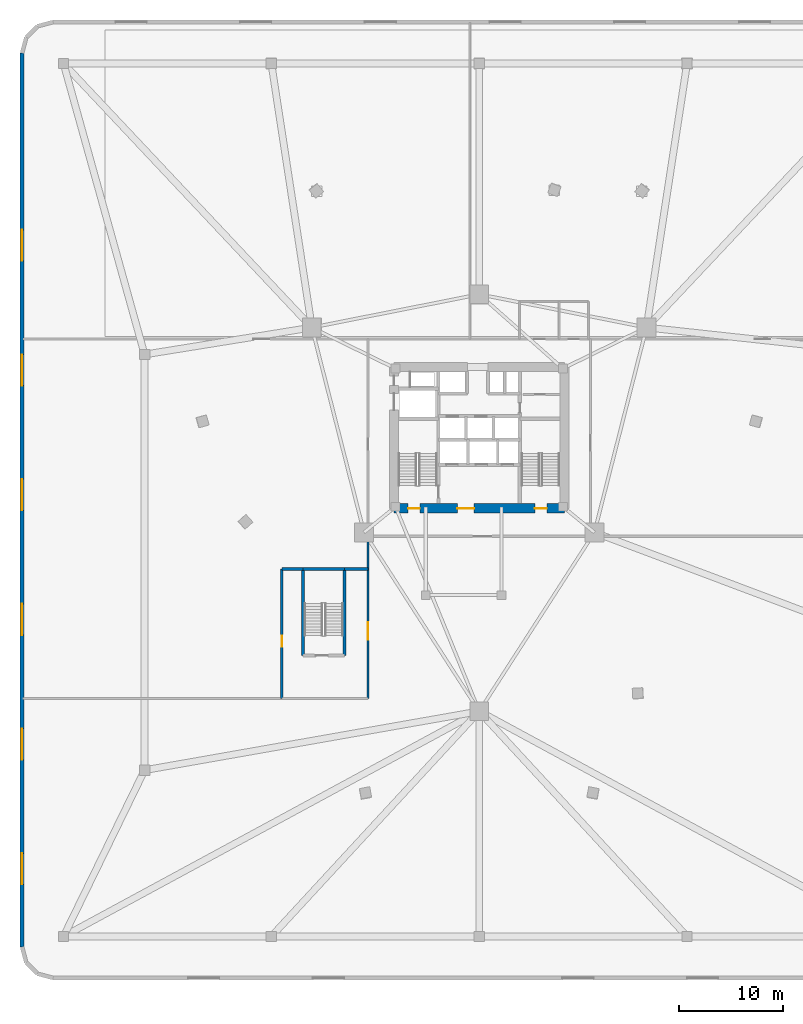
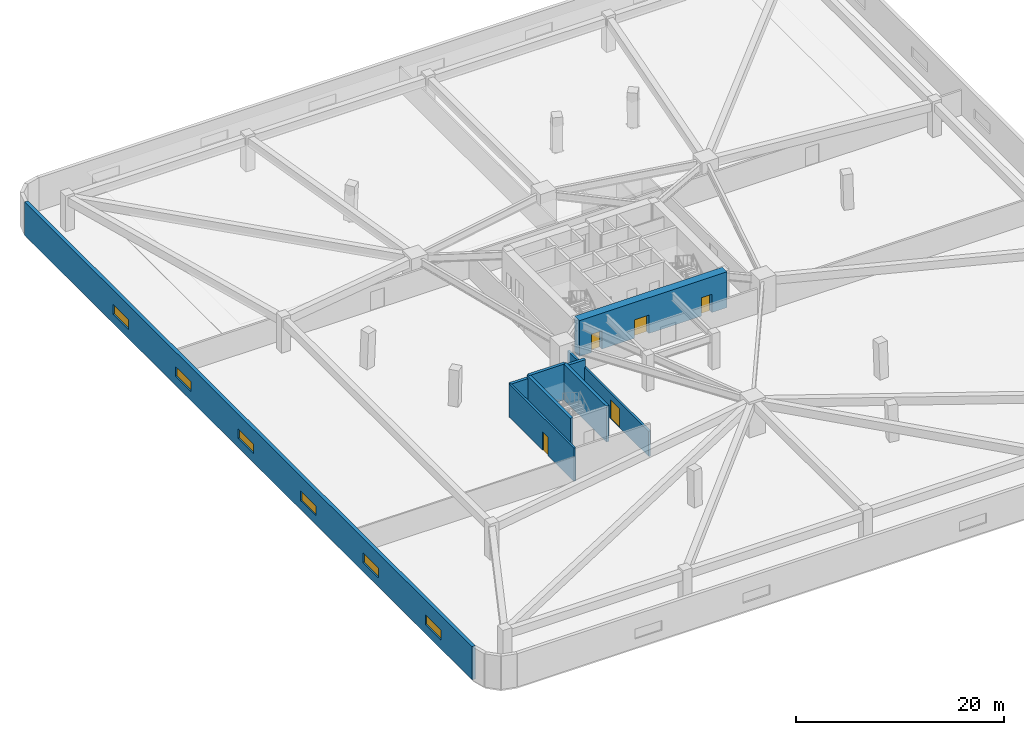
# One storey, part 4 of 10: 9 walls, 6 windows, 5 doors, 11 openings.
"""IFC4 building model written with IfcOpenShell, lengths in metres."""

from ifc_helpers import new_model, si_unit, direction, frame, frame_2d, origin, place, context, subcontext, project, spatial, rectangle, extrude, material, layer, layer_set, type_object, element, fill, save


model = new_model("IFC4")

# Units and contexts
model_context = context("Model", 3, precision=1e-05, world=origin(), true_north=direction((0.0, 1.0)))
body_context = subcontext(model_context, "Body", "Model", "MODEL_VIEW")
ifc_project = project(units=[si_unit("LENGTHUNIT", "METRE"), si_unit("AREAUNIT", "SQUARE_METRE"), si_unit("VOLUMEUNIT", "CUBIC_METRE"), si_unit("PLANEANGLEUNIT", "RADIAN"), si_unit("MASSUNIT", "GRAM", prefix="KILO")], contexts=[model_context])

# Site, building, storey
site_placement = place(None, origin())
site = spatial("IfcSite", under=ifc_project, at=site_placement, CompositionType="ELEMENT")
building_placement = place(site_placement, origin())
building = spatial("IfcBuilding", under=site, at=building_placement, Name="Talyreon Biosciences Tower", CompositionType="ELEMENT")
storey_placement = place(building_placement, frame((0.0, 0.0, 14.39990234375)))
storey = spatial("IfcBuildingStorey", under=building, at=storey_placement, Name="L03", CompositionType="ELEMENT", Elevation=14.39990234375)

# Walls
ifc_material_1 = material(Name="Concrete C50/60", Category="concrete")
ifc_layer_1 = layer(ifc_material_1, 0.320068359375)
ifc_layer_set_1 = layer_set([ifc_layer_1], Name="Concrete C50/60")
wall_type_1 = type_object("IfcWallType", Name="CoreShearWall_320", PredefinedType="SHEAR", material=ifc_layer_set_1)
for number, where, z_axis, x_axis, name in (
    (1, (49.0400390625, 47.0400390625, 0.0), (0.0, 0.0, 1.0), (0.0, 1.0, 0.0), "L03 Stair ST-3 Structural Wall W"),
    (2, (53.0400390625, 47.0400390625, 0.0), (0.0, 0.0, 1.0), (0.0, 1.0, 0.0), "L03 Stair ST-3 Structural Wall E"),
):
    element("IfcWall", number, at=place(storey_placement, frame(where, z_axis=z_axis, x_axis=x_axis)), inside=storey, type_object=wall_type_1, Name=name, PredefinedType="SHEAR", context=body_context, shape_type="SweptSolid", body=[
        extrude(rectangle(XDim=8.320068359375, YDim=0.320068359375, at=frame_2d((4.16015625, 0.0))), origin(), (0.0, 0.0, 1.0), 4.2001953125),
    ])
wall_1_placement = place(storey_placement, frame((49.0400390625, 55.360107421875, 0.0), z_axis=(0.0, 0.0, 1.0), x_axis=(1.0, 0.0, 0.0)))
element("IfcWall", 3, at=wall_1_placement, inside=storey, type_object=wall_type_1, Name="L03 Stair ST-3 Structural Wall N", PredefinedType="SHEAR", context=body_context, shape_type="SweptSolid", body=[
    extrude(rectangle(XDim=4.0, YDim=0.320068359375, at=frame_2d((2.0, 0.0))), origin(), (0.0, 0.0, 1.0), 4.2001953125),
])

# Wall, openings, doors
ifc_material_2 = material(Name="Concrete C60/75", Category="concrete")
ifc_layer_2 = layer(ifc_material_2, 0.89990234375)
ifc_layer_set_2 = layer_set([ifc_layer_2], Name="Concrete C60/75")
wall_type_2 = type_object("IfcWallType", Name="CoreShearWall_900", PredefinedType="SHEAR", material=ifc_layer_set_2)
wall_2_placement = place(storey_placement, frame((57.800048828125, 61.199951171875, 0.0), z_axis=(0.0, 0.0, 1.0), x_axis=(1.0, 0.0, 0.0)))
wall_2 = element("IfcWall", 4, at=wall_2_placement, inside=storey, type_object=wall_type_2, Name="L03 Core Shear Wall S", PredefinedType="SHEAR", context=body_context, shape_type="SweptSolid", body=[
    extrude(rectangle(XDim=16.39990234375, YDim=0.89990234375, at=frame_2d((8.199951171875, 0.0))), origin(), (0.0, 0.0, 1.0), 4.2001953125),
])
opening_1_placement = place(wall_2_placement, frame((1.35009765625, 0.0, 0.0)))
opening_1 = element("IfcOpeningElement", 5, at=opening_1_placement, cuts=wall_2, Name="Opening DR-L03-ST1", PredefinedType="OPENING", context=body_context, shape_type="SweptSolid", body=[
    extrude(rectangle(XDim=1.14990234375, YDim=2.14990234375, at=frame_2d((0.574951171875, 1.074951171875))), frame((0.0, 0.4599609375, 0.0), z_axis=(0.0, -1.0, 0.0), x_axis=(1.0, 0.0, 0.0)), (0.0, 0.0, 1.0), 0.919921875),
])
opening_2_placement = place(wall_2_placement, frame((6.10009765625, 0.0, 0.0)))
opening_2 = element("IfcOpeningElement", 6, at=opening_2_placement, cuts=wall_2, Name="Opening DR-L03-FFL", PredefinedType="OPENING", context=body_context, shape_type="SweptSolid", body=[
    extrude(rectangle(XDim=1.60009765625, YDim=2.14990234375, at=frame_2d((0.800048828125, 1.074951171875))), frame((0.0, 0.4599609375, 0.0), z_axis=(0.0, -1.0, 0.0), x_axis=(1.0, 0.0, 0.0)), (0.0, 0.0, 1.0), 0.919921875),
])
opening_3_placement = place(wall_2_placement, frame((13.550048828125, 0.0, 0.0)))
opening_3 = element("IfcOpeningElement", 7, at=opening_3_placement, cuts=wall_2, Name="Opening DR-L03-ST2", PredefinedType="OPENING", context=body_context, shape_type="SweptSolid", body=[
    extrude(rectangle(XDim=1.14990234375, YDim=2.14990234375, at=frame_2d((0.574951171875, 1.074951171875))), frame((0.0, 0.4599609375, 0.0), z_axis=(0.0, -1.0, 0.0), x_axis=(1.0, 0.0, 0.0)), (0.0, 0.0, 1.0), 0.919921875),
])
ifc_material_3 = material(Name="Painted steel smoke-seal fire door", Category="steel")
door_type_1 = type_object("IfcDoorType", Name="FirefightingLobbyDoubleDoor_1600x2150", OperationType="DOUBLE_DOOR_SINGLE_SWING", PredefinedType="DOOR", material=ifc_material_3)
door_1_placement = place(opening_2_placement, origin())
door_1 = element("IfcDoor", 8, at=door_1_placement, inside=storey, type_object=door_type_1, Name="L03 Core Door DR-L03-FFL", OperationType="DOUBLE_DOOR_SINGLE_SWING", OverallHeight=2.14990234375, OverallWidth=1.60009765625, PredefinedType="DOOR", context=body_context, shape_type="SweptSolid", body=[
    extrude(rectangle(XDim=1.60009765625, YDim=2.14990234375, at=frame_2d((0.800048828125, 1.074951171875))), frame((0.0, 0.02490234375, 0.0), z_axis=(0.0, -1.0, 0.0), x_axis=(1.0, 0.0, 0.0)), (0.0, 0.0, 1.0), 0.050048828125),
])
fill(opening_2, door_1)
ifc_material_4 = material(Name="Painted steel fire door", Category="steel")
door_type_2 = type_object("IfcDoorType", Name="StairShaftFireDoor_1150x2150", OperationType="NOTDEFINED", PredefinedType="DOOR", material=ifc_material_4)
door_2_placement = place(opening_1_placement, origin())
door_2 = element("IfcDoor", 9, at=door_2_placement, inside=storey, type_object=door_type_2, Name="L03 Core Door DR-L03-ST1", OperationType="SINGLE_SWING_LEFT", OverallHeight=2.14990234375, OverallWidth=1.14990234375, PredefinedType="DOOR", context=body_context, shape_type="SweptSolid", body=[
    extrude(rectangle(XDim=1.14990234375, YDim=2.14990234375, at=frame_2d((0.574951171875, 1.074951171875))), frame((0.0, 0.02490234375, 0.0), z_axis=(0.0, -1.0, 0.0), x_axis=(1.0, 0.0, 0.0)), (0.0, 0.0, 1.0), 0.050048828125),
])
fill(opening_1, door_2)
door_3_placement = place(opening_3_placement, origin())
door_3 = element("IfcDoor", 10, at=door_3_placement, inside=storey, type_object=door_type_2, Name="L03 Core Door DR-L03-ST2", OperationType="SINGLE_SWING_RIGHT", OverallHeight=2.14990234375, OverallWidth=1.14990234375, PredefinedType="DOOR", context=body_context, shape_type="SweptSolid", body=[
    extrude(rectangle(XDim=1.14990234375, YDim=2.14990234375, at=frame_2d((0.574951171875, 1.074951171875))), frame((0.0, 0.02490234375, 0.0), z_axis=(0.0, -1.0, 0.0), x_axis=(1.0, 0.0, 0.0)), (0.0, 0.0, 1.0), 0.050048828125),
])
fill(opening_3, door_3)

# Wall, opening, door
ifc_material_5 = material(Name="Gypsum fireboard acoustic stud", Category="gypsum")
ifc_layer_3 = layer(ifc_material_5, 0.219970703125)
ifc_layer_set_3 = layer_set([ifc_layer_3], Name="Gypsum fireboard acoustic stud")
wall_type_3 = type_object("IfcWallType", Name="CorridorRatedPartition_220", PredefinedType="PARTITIONING", material=ifc_layer_set_3)
wall_3_placement = place(storey_placement, frame((47.0, 42.89990234375, 0.0), z_axis=(0.0, 0.0, 1.0), x_axis=(0.0, 1.0, 0.0)))
wall_3 = element("IfcWall", 11, at=wall_3_placement, inside=storey, type_object=wall_type_3, Name="L03 Interior Wall IW-L03-SCORW", PredefinedType="PARTITIONING", context=body_context, shape_type="SweptSolid", body=[
    extrude(rectangle(XDim=12.460205078125, YDim=0.219970703125, at=frame_2d((6.22998046875, 0.0))), origin(), (0.0, 0.0, 1.0), 3.900146484375),
])
opening_4_placement = place(wall_3_placement, frame((4.97509765625, 0.0, 0.0)))
opening_4 = element("IfcOpeningElement", 12, at=opening_4_placement, cuts=wall_3, Name="Opening DR-L03-WW-S", PredefinedType="OPENING", context=body_context, shape_type="SweptSolid", body=[
    extrude(rectangle(XDim=1.050048828125, YDim=2.14990234375, at=frame_2d((0.52490234375, 1.074951171875))), frame((0.0, 0.119873046875, 0.0), z_axis=(0.0, -1.0, 0.0), x_axis=(1.0, 0.0, 0.0)), (0.0, 0.0, 1.0), 0.239990234375),
])
ifc_material_6 = material(Name="Acoustic timber-core laboratory door", Category="wood")
door_type_3 = type_object("IfcDoorType", Name="DryLabSingleDoor_1050x2150", OperationType="NOTDEFINED", PredefinedType="DOOR", material=ifc_material_6)
door_4_placement = place(opening_4_placement, origin())
door_4 = element("IfcDoor", 13, at=door_4_placement, inside=storey, type_object=door_type_3, Name="L03 Interior Door DR-L03-WW-S", OperationType="SINGLE_SWING_LEFT", OverallHeight=2.14990234375, OverallWidth=1.050048828125, PredefinedType="DOOR", context=body_context, shape_type="SweptSolid", body=[
    extrude(rectangle(XDim=1.050048828125, YDim=2.14990234375, at=frame_2d((0.52490234375, 1.074951171875))), frame((0.0, 0.02490234375, 0.0), z_axis=(0.0, -1.0, 0.0), x_axis=(1.0, 0.0, 0.0)), (0.0, 0.0, 1.0), 0.050048828125),
])
fill(opening_4, door_4)

wall_4_placement = place(storey_placement, frame((55.300048828125, 42.89990234375, 0.0), z_axis=(0.0, 0.0, 1.0), x_axis=(0.0, 1.0, 0.0)))
wall_4 = element("IfcWall", 14, at=wall_4_placement, inside=storey, type_object=wall_type_3, Name="L03 Interior Wall IW-L03-SCOR", PredefinedType="PARTITIONING", context=body_context, shape_type="SweptSolid", body=[
    extrude(rectangle(XDim=15.60009765625, YDim=0.219970703125, at=frame_2d((7.800048828125, 0.0))), origin(), (0.0, 0.0, 1.0), 2.97998046875),
])
opening_5_placement = place(wall_4_placement, frame((5.64990234375, 0.0, 0.0)))
opening_5 = element("IfcOpeningElement", 15, at=opening_5_placement, cuts=wall_4, Name="Opening DR-L03-SW2", PredefinedType="OPENING", context=body_context, shape_type="SweptSolid", body=[
    extrude(rectangle(XDim=1.699951171875, YDim=2.199951171875, at=frame_2d((0.85009765625, 1.10009765625))), frame((0.0, 0.119873046875, 0.0), z_axis=(0.0, -1.0, 0.0), x_axis=(1.0, 0.0, 0.0)), (0.0, 0.0, 1.0), 0.239990234375),
])
ifc_material_7 = material(Name="Acoustic oak seminar double door", Category="wood")
door_type_4 = type_object("IfcDoorType", Name="MeetingSeminarDoubleDoor_1700x2200", OperationType="DOUBLE_DOOR_SINGLE_SWING", PredefinedType="DOOR", material=ifc_material_7)
door_5_placement = place(opening_5_placement, origin())
door_5 = element("IfcDoor", 16, at=door_5_placement, inside=storey, type_object=door_type_4, Name="L03 Interior Door DR-L03-SW2", OperationType="DOUBLE_DOOR_SINGLE_SWING", OverallHeight=2.199951171875, OverallWidth=1.699951171875, PredefinedType="DOOR", context=body_context, shape_type="SweptSolid", body=[
    extrude(rectangle(XDim=1.699951171875, YDim=2.199951171875, at=frame_2d((0.85009765625, 1.10009765625))), frame((0.0, 0.02490234375, 0.0), z_axis=(0.0, -1.0, 0.0), x_axis=(1.0, 0.0, 0.0)), (0.0, 0.0, 1.0), 0.050048828125),
])
fill(opening_5, door_5)

# Wall, openings, windows
ifc_material_8 = material(Name="Precast concrete C45/55", Category="concrete")
ifc_layer_4 = layer(ifc_material_8, 0.3798828125)
ifc_layer_set_4 = layer_set([ifc_layer_4], Name="Precast concrete C45/55")
wall_type_4 = type_object("IfcWallType", Name="PrecastConcretePodiumWall_380", PredefinedType="STANDARD", material=ifc_layer_set_4)
wall_5_placement = place(storey_placement, frame((22.0, 19.0, 0.0), z_axis=(0.0, 0.0, 1.0), x_axis=(0.0, 1.0, 0.0)))
wall_5 = element("IfcWall", 17, at=wall_5_placement, inside=storey, type_object=wall_type_4, Name="L03 Podium Concrete Frame Wall 05", PredefinedType="STANDARD", context=body_context, shape_type="SweptSolid", body=[
    extrude(rectangle(XDim=86.0, YDim=0.3798828125, at=frame_2d((43.0, 0.0))), origin(), (0.0, 0.0, 1.0), 3.900146484375),
])
opening_6_placement = place(wall_5_placement, frame((6.0, 0.0, 1.050048828125)))
opening_6 = element("IfcOpeningElement", 18, at=opening_6_placement, cuts=wall_5, Name="Opening W03", PredefinedType="OPENING", context=body_context, shape_type="SweptSolid", body=[
    extrude(rectangle(XDim=3.0, YDim=1.14990234375, at=frame_2d((1.5, 0.574951171875))), frame((0.0, 0.199951171875, 0.0), z_axis=(0.0, -1.0, 0.0), x_axis=(1.0, 0.0, 0.0)), (0.0, 0.0, 1.0), 0.39990234375),
])
opening_7_placement = place(wall_5_placement, frame((18.0, 0.0, 1.050048828125)))
opening_7 = element("IfcOpeningElement", 19, at=opening_7_placement, cuts=wall_5, Name="Opening W03", PredefinedType="OPENING", context=body_context, shape_type="SweptSolid", body=[
    extrude(rectangle(XDim=3.0, YDim=1.14990234375, at=frame_2d((1.5, 0.574951171875))), frame((0.0, 0.199951171875, 0.0), z_axis=(0.0, -1.0, 0.0), x_axis=(1.0, 0.0, 0.0)), (0.0, 0.0, 1.0), 0.39990234375),
])
opening_8_placement = place(wall_5_placement, frame((30.0, 0.0, 1.050048828125)))
opening_8 = element("IfcOpeningElement", 20, at=opening_8_placement, cuts=wall_5, Name="Opening W03", PredefinedType="OPENING", context=body_context, shape_type="SweptSolid", body=[
    extrude(rectangle(XDim=3.0, YDim=1.14990234375, at=frame_2d((1.5, 0.574951171875))), frame((0.0, 0.199951171875, 0.0), z_axis=(0.0, -1.0, 0.0), x_axis=(1.0, 0.0, 0.0)), (0.0, 0.0, 1.0), 0.39990234375),
])
opening_9_placement = place(wall_5_placement, frame((42.0, 0.0, 1.050048828125)))
opening_9 = element("IfcOpeningElement", 21, at=opening_9_placement, cuts=wall_5, Name="Opening W03", PredefinedType="OPENING", context=body_context, shape_type="SweptSolid", body=[
    extrude(rectangle(XDim=3.0, YDim=1.14990234375, at=frame_2d((1.5, 0.574951171875))), frame((0.0, 0.199951171875, 0.0), z_axis=(0.0, -1.0, 0.0), x_axis=(1.0, 0.0, 0.0)), (0.0, 0.0, 1.0), 0.39990234375),
])
opening_10_placement = place(wall_5_placement, frame((54.0, 0.0, 1.050048828125)))
opening_10 = element("IfcOpeningElement", 22, at=opening_10_placement, cuts=wall_5, Name="Opening W03", PredefinedType="OPENING", context=body_context, shape_type="SweptSolid", body=[
    extrude(rectangle(XDim=3.0, YDim=1.14990234375, at=frame_2d((1.5, 0.574951171875))), frame((0.0, 0.199951171875, 0.0), z_axis=(0.0, -1.0, 0.0), x_axis=(1.0, 0.0, 0.0)), (0.0, 0.0, 1.0), 0.39990234375),
])
opening_11_placement = place(wall_5_placement, frame((66.0, 0.0, 1.050048828125)))
opening_11 = element("IfcOpeningElement", 23, at=opening_11_placement, cuts=wall_5, Name="Opening W03", PredefinedType="OPENING", context=body_context, shape_type="SweptSolid", body=[
    extrude(rectangle(XDim=3.0, YDim=1.14990234375, at=frame_2d((1.5, 0.574951171875))), frame((0.0, 0.199951171875, 0.0), z_axis=(0.0, -1.0, 0.0), x_axis=(1.0, 0.0, 0.0)), (0.0, 0.0, 1.0), 0.39990234375),
])
ifc_material_9 = material(Name="Thermally broken triple low-E aluminium window", Category="aluminium")
window_type = type_object("IfcWindowType", Name="PodiumClerestoryWindow_3000x1150", PartitioningType="TRIPLE_PANEL_VERTICAL", PredefinedType="WINDOW", material=ifc_material_9)
window_1_placement = place(opening_6_placement, origin())
window_1 = element("IfcWindow", 24, at=window_1_placement, inside=storey, type_object=window_type, Name="L03 Podium Facade Window 05.01", OverallHeight=1.14990234375, OverallWidth=3.0, PartitioningType="SINGLE_PANEL", PredefinedType="WINDOW", context=body_context, shape_type="SweptSolid", body=[
    extrude(rectangle(XDim=3.0, YDim=1.14990234375, at=frame_2d((1.5, 0.574951171875))), frame((0.0, 0.030029296875, 0.0), z_axis=(0.0, -1.0, 0.0), x_axis=(1.0, 0.0, 0.0)), (0.0, 0.0, 1.0), 0.06005859375),
])
fill(opening_6, window_1)
window_2_placement = place(opening_7_placement, origin())
window_2 = element("IfcWindow", 25, at=window_2_placement, inside=storey, type_object=window_type, Name="L03 Podium Facade Window 05.02", OverallHeight=1.14990234375, OverallWidth=3.0, PartitioningType="SINGLE_PANEL", PredefinedType="WINDOW", context=body_context, shape_type="SweptSolid", body=[
    extrude(rectangle(XDim=3.0, YDim=1.14990234375, at=frame_2d((1.5, 0.574951171875))), frame((0.0, 0.030029296875, 0.0), z_axis=(0.0, -1.0, 0.0), x_axis=(1.0, 0.0, 0.0)), (0.0, 0.0, 1.0), 0.06005859375),
])
fill(opening_7, window_2)
window_3_placement = place(opening_8_placement, origin())
window_3 = element("IfcWindow", 26, at=window_3_placement, inside=storey, type_object=window_type, Name="L03 Podium Facade Window 05.03", OverallHeight=1.14990234375, OverallWidth=3.0, PartitioningType="SINGLE_PANEL", PredefinedType="WINDOW", context=body_context, shape_type="SweptSolid", body=[
    extrude(rectangle(XDim=3.0, YDim=1.14990234375, at=frame_2d((1.5, 0.574951171875))), frame((0.0, 0.030029296875, 0.0), z_axis=(0.0, -1.0, 0.0), x_axis=(1.0, 0.0, 0.0)), (0.0, 0.0, 1.0), 0.06005859375),
])
fill(opening_8, window_3)
window_4_placement = place(opening_9_placement, origin())
window_4 = element("IfcWindow", 27, at=window_4_placement, inside=storey, type_object=window_type, Name="L03 Podium Facade Window 05.04", OverallHeight=1.14990234375, OverallWidth=3.0, PartitioningType="SINGLE_PANEL", PredefinedType="WINDOW", context=body_context, shape_type="SweptSolid", body=[
    extrude(rectangle(XDim=3.0, YDim=1.14990234375, at=frame_2d((1.5, 0.574951171875))), frame((0.0, 0.030029296875, 0.0), z_axis=(0.0, -1.0, 0.0), x_axis=(1.0, 0.0, 0.0)), (0.0, 0.0, 1.0), 0.06005859375),
])
fill(opening_9, window_4)
window_5_placement = place(opening_10_placement, origin())
window_5 = element("IfcWindow", 28, at=window_5_placement, inside=storey, type_object=window_type, Name="L03 Podium Facade Window 05.05", OverallHeight=1.14990234375, OverallWidth=3.0, PartitioningType="SINGLE_PANEL", PredefinedType="WINDOW", context=body_context, shape_type="SweptSolid", body=[
    extrude(rectangle(XDim=3.0, YDim=1.14990234375, at=frame_2d((1.5, 0.574951171875))), frame((0.0, 0.030029296875, 0.0), z_axis=(0.0, -1.0, 0.0), x_axis=(1.0, 0.0, 0.0)), (0.0, 0.0, 1.0), 0.06005859375),
])
fill(opening_10, window_5)
window_6_placement = place(opening_11_placement, origin())
window_6 = element("IfcWindow", 29, at=window_6_placement, inside=storey, type_object=window_type, Name="L03 Podium Facade Window 05.06", OverallHeight=1.14990234375, OverallWidth=3.0, PartitioningType="SINGLE_PANEL", PredefinedType="WINDOW", context=body_context, shape_type="SweptSolid", body=[
    extrude(rectangle(XDim=3.0, YDim=1.14990234375, at=frame_2d((1.5, 0.574951171875))), frame((0.0, 0.030029296875, 0.0), z_axis=(0.0, -1.0, 0.0), x_axis=(1.0, 0.0, 0.0)), (0.0, 0.0, 1.0), 0.06005859375),
])
fill(opening_11, window_6)

# Walls
ifc_material_10 = material(Name="Concrete C40/50", Category="concrete")
ifc_layer_5 = layer(ifc_material_10, 0.320068359375)
ifc_layer_set_5 = layer_set([ifc_layer_5], Name="Concrete C40/50")
wall_type_5 = type_object("IfcWallType", Name="ShaftCompartmentWall_320", PredefinedType="STANDARD", material=ifc_layer_set_5)
wall_6_placement = place(storey_placement, frame((47.0, 55.360107421875, 0.0), z_axis=(0.0, 0.0, 1.0), x_axis=(1.0, 0.0, 0.0)))
element("IfcWall", 30, at=wall_6_placement, inside=storey, type_object=wall_type_5, Name="L03 Interior Wall IW-L03-ST3L", PredefinedType="STANDARD", context=body_context, shape_type="SweptSolid", body=[
    extrude(rectangle(XDim=2.0400390625, YDim=0.320068359375, at=frame_2d((1.02001953125, 0.0))), origin(), (0.0, 0.0, 1.0), 3.900146484375),
])
wall_7_placement = place(storey_placement, frame((53.0400390625, 55.360107421875, 0.0), z_axis=(0.0, 0.0, 1.0), x_axis=(1.0, 0.0, 0.0)))
element("IfcWall", 31, at=wall_7_placement, inside=storey, type_object=wall_type_5, Name="L03 Interior Wall IW-L03-ST3R", PredefinedType="STANDARD", context=body_context, shape_type="SweptSolid", body=[
    extrude(rectangle(XDim=2.260009765625, YDim=0.320068359375, at=frame_2d((1.1298828125, 0.0))), origin(), (0.0, 0.0, 1.0), 3.900146484375),
])

save(model, "model.ifc")
